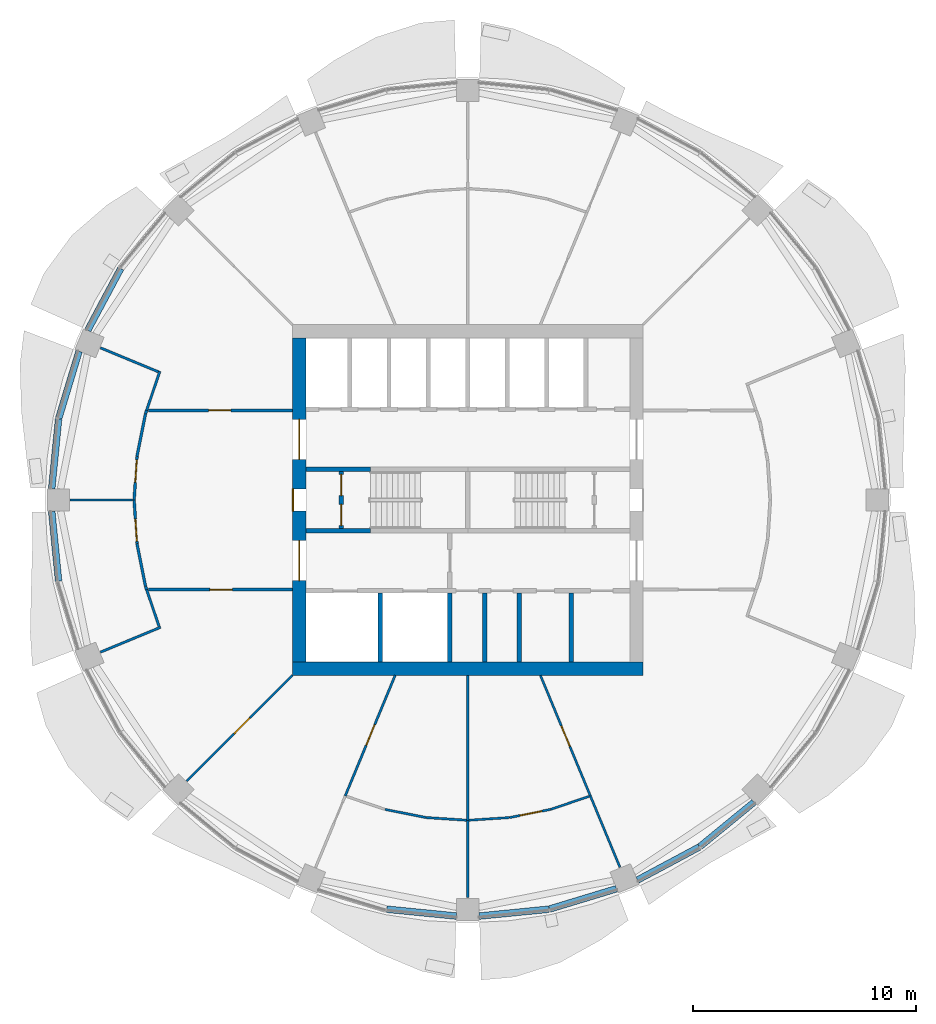
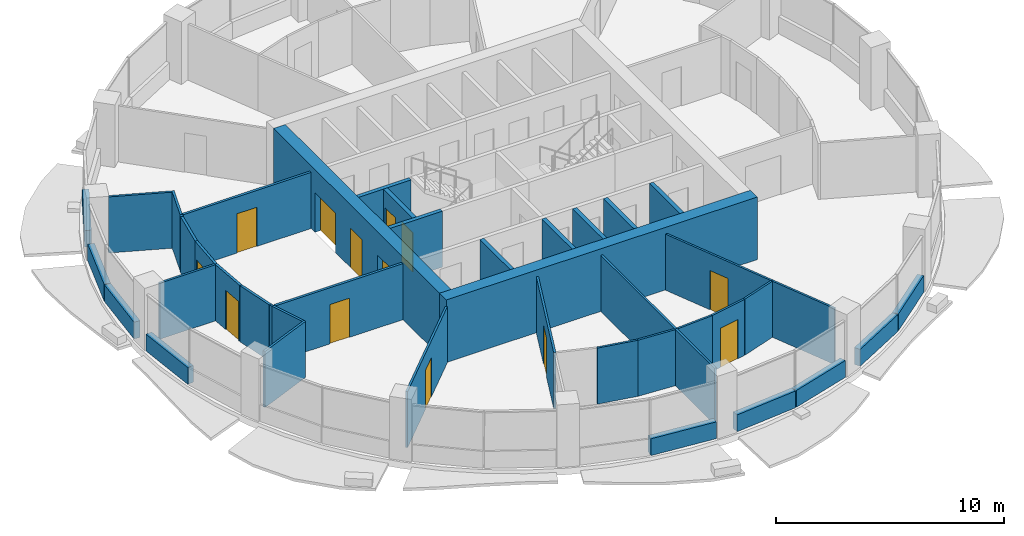
# One storey, part 8 of 15: 43 walls, 13 doors, 13 openings.
"""IFC4 building model written with IfcOpenShell, lengths in metres."""

from ifc_helpers import new_model, si_unit, direction, frame, frame_2d, origin, place, context, subcontext, project, spatial, rectangle, extrude, material, layer, layer_set, type_object, element, fill, save


model = new_model("IFC4")

# Units and contexts
model_context = context("Model", 3, precision=1e-05, world=origin(), true_north=direction((0.0, 1.0)))
body_context = subcontext(model_context, "Body", "Model", "MODEL_VIEW")
ifc_project = project(units=[si_unit("LENGTHUNIT", "METRE"), si_unit("AREAUNIT", "SQUARE_METRE"), si_unit("VOLUMEUNIT", "CUBIC_METRE"), si_unit("PLANEANGLEUNIT", "RADIAN"), si_unit("MASSUNIT", "GRAM", prefix="KILO")], contexts=[model_context])

# Site, building, storey
site_placement = place(None, origin())
site = spatial("IfcSite", under=ifc_project, at=site_placement, CompositionType="ELEMENT")
building_placement = place(site_placement, origin())
building = spatial("IfcBuilding", under=site, at=building_placement, Name="Polderwave Tower", CompositionType="ELEMENT")
storey_placement = place(building_placement, frame((0.0, 0.0, 131.0)))
storey = spatial("IfcBuildingStorey", under=building, at=storey_placement, Name="L34", CompositionType="ELEMENT", Elevation=131.0)

# Wall
ifc_material_1 = material(Name="Concrete C60/75", Category="concrete")
ifc_layer_1 = layer(ifc_material_1, 0.60009765625)
ifc_layer_set_1 = layer_set([ifc_layer_1], Name="CORE WALL 600 C60/75")
wall_type_1 = type_object("IfcWallType", Name="CORE WALL 600 C60/75", PredefinedType="SHEAR", material=ifc_layer_set_1)
wall_1_placement = place(storey_placement, frame((-7.8740234375, -7.573974609375, 0.0), z_axis=(0.0, 0.0, 1.0), x_axis=(1.0, 0.0, 0.0)))
element("IfcWall", 1, at=wall_1_placement, inside=storey, type_object=wall_type_1, Name="ST-CORE-L34-S", PredefinedType="SHEAR", context=body_context, shape_type="SweptSolid", body=[
    extrude(rectangle(XDim=15.748046875, YDim=0.60009765625, at=frame_2d((7.8740234375, 0.0))), origin(), (0.0, 0.0, 1.0), 3.35009765625),
])

# Wall, openings, doors
wall_2_placement = place(storey_placement, frame((-7.573974609375, -7.27392578125, 0.0), z_axis=(0.0, 0.0, 1.0), x_axis=(0.0, 1.0, 0.0)))
wall_2 = element("IfcWall", 2, at=wall_2_placement, inside=storey, type_object=wall_type_1, Name="ST-CORE-L34-W", PredefinedType="SHEAR", context=body_context, shape_type="SweptSolid", body=[
    extrude(rectangle(XDim=14.5478515625, YDim=0.60009765625, at=frame_2d((7.27392578125, 0.0))), origin(), (0.0, 0.0, 1.0), 3.35009765625),
])
opening_1_placement = place(wall_2_placement, frame((6.77392578125, 0.0, 0.0)))
opening_1 = element("IfcOpeningElement", 3, at=opening_1_placement, cuts=wall_2, Name="Opening L34-D20", PredefinedType="OPENING", context=body_context, shape_type="SweptSolid", body=[
    extrude(rectangle(XDim=1.0, YDim=2.10009765625, at=frame_2d((0.5, 1.050048828125))), frame((0.0, 0.31005859375, 0.0), z_axis=(0.0, -1.0, 0.0), x_axis=(1.0, 0.0, 0.0)), (0.0, 0.0, 1.0), 0.6201171875),
])
opening_2_placement = place(wall_2_placement, frame((3.6494140625, 0.0, 0.0)))
opening_2 = element("IfcOpeningElement", 4, at=opening_2_placement, cuts=wall_2, Name="Opening L34-D21", PredefinedType="OPENING", context=body_context, shape_type="SweptSolid", body=[
    extrude(rectangle(XDim=1.800048828125, YDim=2.10009765625, at=frame_2d((0.89990234375, 1.050048828125))), frame((0.0, 0.31005859375, 0.0), z_axis=(0.0, -1.0, 0.0), x_axis=(1.0, 0.0, 0.0)), (0.0, 0.0, 1.0), 0.6201171875),
])
opening_3_placement = place(wall_2_placement, frame((9.098388671875, 0.0, 0.0)))
opening_3 = element("IfcOpeningElement", 5, at=opening_3_placement, cuts=wall_2, Name="Opening L34-D22", PredefinedType="OPENING", context=body_context, shape_type="SweptSolid", body=[
    extrude(rectangle(XDim=1.800048828125, YDim=2.10009765625, at=frame_2d((0.89990234375, 1.050048828125))), frame((0.0, 0.31005859375, 0.0), z_axis=(0.0, -1.0, 0.0), x_axis=(1.0, 0.0, 0.0)), (0.0, 0.0, 1.0), 0.6201171875),
])
ifc_material_2 = material(Name="Steel fire door", Category="steel")
door_type_1 = type_object("IfcDoorType", Name="Lobby entry door pair 1800", OperationType="DOUBLE_DOOR_SINGLE_SWING", PredefinedType="DOOR", material=ifc_material_2)
door_1_placement = place(opening_2_placement, origin())
door_1 = element("IfcDoor", 6, at=door_1_placement, inside=storey, type_object=door_type_1, Name="Fire-fighting lobby entry door", OperationType="DOUBLE_DOOR_SINGLE_SWING", OverallHeight=2.10009765625, OverallWidth=1.800048828125, PredefinedType="DOOR", context=body_context, shape_type="SweptSolid", body=[
    extrude(rectangle(XDim=1.800048828125, YDim=2.10009765625, at=frame_2d((0.89990234375, 1.050048828125))), frame((0.0, 0.02490234375, 0.0), z_axis=(0.0, -1.0, 0.0), x_axis=(1.0, 0.0, 0.0)), (0.0, 0.0, 1.0), 0.050048828125),
])
fill(opening_2, door_1)
door_2_placement = place(opening_3_placement, origin())
door_2 = element("IfcDoor", 7, at=door_2_placement, inside=storey, type_object=door_type_1, Name="North lobby entry door", OperationType="DOUBLE_DOOR_SINGLE_SWING", OverallHeight=2.10009765625, OverallWidth=1.800048828125, PredefinedType="DOOR", context=body_context, shape_type="SweptSolid", body=[
    extrude(rectangle(XDim=1.800048828125, YDim=2.10009765625, at=frame_2d((0.89990234375, 1.050048828125))), frame((0.0, 0.02490234375, 0.0), z_axis=(0.0, -1.0, 0.0), x_axis=(1.0, 0.0, 0.0)), (0.0, 0.0, 1.0), 0.050048828125),
])
fill(opening_3, door_2)
door_type_2 = type_object("IfcDoorType", Name="Stair door 1000", OperationType="NOTDEFINED", PredefinedType="DOOR", material=ifc_material_2)
door_3_placement = place(opening_1_placement, origin())
door_3 = element("IfcDoor", 8, at=door_3_placement, inside=storey, type_object=door_type_2, Name="Stair A entry door", OperationType="SINGLE_SWING_RIGHT", OverallHeight=2.10009765625, OverallWidth=1.0, PredefinedType="DOOR", context=body_context, shape_type="SweptSolid", body=[
    extrude(rectangle(XDim=1.0, YDim=2.10009765625, at=frame_2d((0.5, 1.050048828125))), frame((0.0, 0.2998046875, 0.0), z_axis=(0.0, -1.0, 0.0), x_axis=(1.0, 0.0, 0.0)), (0.0, 0.0, 1.0), 0.050048828125),
])
fill(opening_1, door_3)

# Walls
ifc_material_3 = material(Name="Concrete C50/60 (board-marked)", Category="concrete")
ifc_layer_2 = layer(ifc_material_3, 0.300048828125)
ifc_layer_set_2 = layer_set([ifc_layer_2], Name="Concrete spandrel upstand C50/60")
wall_type_2 = type_object("IfcWallType", Name="Concrete spandrel upstand C50/60", PredefinedType="SOLIDWALL", material=ifc_layer_set_2)
wall_3_placement = place(storey_placement, frame((-15.580078125, 10.392822265625, 0.0), z_axis=(0.0, 0.0, 1.0), x_axis=(-0.471487773873, -0.881872597991, 0.0)))
element("IfcWall", 9, at=wall_3_placement, inside=storey, type_object=wall_type_2, Name="Spandrel L34 7b", PredefinedType="SOLIDWALL", context=body_context, shape_type="SweptSolid", body=[
    extrude(rectangle(XDim=3.140625, YDim=0.300048828125, at=frame_2d((1.5703125, 0.0))), origin(), (0.0, 0.0, 1.0), 0.89990234375),
])
for number, where, z_axis, x_axis, name in (
    (10, (-17.453369140625, 6.673583984375, 0.0), (0.0, 0.0, 1.0), (-0.290434573745, -0.956894852308, 0.0), "Spandrel L34 8a"),
    (11, (-18.37158203125, 3.63916015625, 0.0), (0.0, 0.0, 1.0), (-0.098033428421, -0.995183122301, 0.0), "Spandrel L34 8b"),
    (12, (-18.679443359375, -0.513916015625, 0.0), (0.0, 0.0, 1.0), (0.098033428421, -0.995183122301, 0.0), "Spandrel L34 9a"),
    (13, (-3.63916015625, -18.37158203125, 0.0), (0.0, 0.0, 1.0), (0.995183122301, -0.098033428421, 0.0), "Spandrel L34 12b"),
    (14, (0.513916015625, -18.679443359375, 0.0), (0.0, 0.0, 1.0), (0.995183122301, 0.098033428421, 0.0), "Spandrel L34 13a"),
    (15, (3.66845703125, -18.365478515625, 0.0), (0.0, 0.0, 1.0), (0.956894852308, 0.290434573745, 0.0), "Spandrel L34 13b"),
):
    element("IfcWall", number, at=place(storey_placement, frame(where, z_axis=z_axis, x_axis=x_axis)), inside=storey, type_object=wall_type_2, Name=name, PredefinedType="SOLIDWALL", context=body_context, shape_type="SweptSolid", body=[
        extrude(rectangle(XDim=3.140380859375, YDim=0.300048828125, at=frame_2d((1.5703125, 0.0))), origin(), (0.0, 0.0, 1.0), 0.89990234375),
    ])
for number, where, z_axis, x_axis, name in (
    (16, (7.623291015625, -17.060791015625, 0.0), (0.0, 0.0, 1.0), (0.881872597991, 0.471487773873, 0.0), "Spandrel L34 14a"),
    (17, (10.41748046875, -15.5634765625, 0.0), (0.0, 0.0, 1.0), (0.773111490074, 0.634270150579, 0.0), "Spandrel L34 14b"),
):
    element("IfcWall", number, at=place(storey_placement, frame(where, z_axis=z_axis, x_axis=x_axis)), inside=storey, type_object=wall_type_2, Name=name, PredefinedType="SOLIDWALL", context=body_context, shape_type="SweptSolid", body=[
        extrude(rectangle(XDim=3.140625, YDim=0.300048828125, at=frame_2d((1.5703125, 0.0))), origin(), (0.0, 0.0, 1.0), 0.89990234375),
    ])
ifc_material_4 = material(Name="Gypsum board partition")
ifc_layer_3 = layer(ifc_material_4, 0.199951171875)
ifc_layer_set_3 = layer_set([ifc_layer_3], Name="Core room partition 200")
wall_type_3 = type_object("IfcWallType", Name="Core room partition 200", PredefinedType="PARTITIONING", material=ifc_layer_set_3)
for number, where, z_axis, x_axis, name in (
    (18, (0.75830078125, -7.27392578125, 0.0), (0.0, 0.0, 1.0), (0.0, 1.0, 0.0), "L34 room partition S1"),
    (19, (2.316650390625, -7.27392578125, 0.0), (0.0, 0.0, 1.0), (0.0, 1.0, 0.0), "L34 room partition S2"),
    (20, (4.6513671875, -7.27392578125, 0.0), (0.0, 0.0, 1.0), (0.0, 1.0, 0.0), "L34 room partition S3"),
):
    element("IfcWall", number, at=place(storey_placement, frame(where, z_axis=z_axis, x_axis=x_axis)), inside=storey, type_object=wall_type_3, Name=name, PredefinedType="PARTITIONING", context=body_context, shape_type="SweptSolid", body=[
        extrude(rectangle(XDim=3.099853515625, YDim=0.199951171875, at=frame_2d((1.5498046875, 0.0))), origin(), (0.0, 0.0, 1.0), 3.0),
    ])

# Wall, openings, doors
wall_4_placement = place(storey_placement, frame((-5.674072265625, -1.27490234375, 0.0), z_axis=(0.0, 0.0, 1.0), x_axis=(0.0, 1.0, 0.0)))
wall_4 = element("IfcWall", 21, at=wall_4_placement, inside=storey, type_object=wall_type_3, Name="L34 smoke lobby wall A", PredefinedType="PARTITIONING", context=body_context, shape_type="SweptSolid", body=[
    extrude(rectangle(XDim=2.5498046875, YDim=0.199951171875, at=frame_2d((1.27490234375, 0.0))), origin(), (0.0, 0.0, 1.0), 3.0),
])
opening_4_placement = place(wall_4_placement, frame((0.125, 0.0, 0.0)))
opening_4 = element("IfcOpeningElement", 22, at=opening_4_placement, cuts=wall_4, Name="Opening L34-D10", PredefinedType="OPENING", context=body_context, shape_type="SweptSolid", body=[
    extrude(rectangle(XDim=0.949951171875, YDim=2.10009765625, at=frame_2d((0.47509765625, 1.050048828125))), frame((0.0, 0.10986328125, 0.0), z_axis=(0.0, -1.0, 0.0), x_axis=(1.0, 0.0, 0.0)), (0.0, 0.0, 1.0), 0.219970703125),
])
opening_5_placement = place(wall_4_placement, frame((1.47509765625, 0.0, 0.0)))
opening_5 = element("IfcOpeningElement", 23, at=opening_5_placement, cuts=wall_4, Name="Opening L34-D11", PredefinedType="OPENING", context=body_context, shape_type="SweptSolid", body=[
    extrude(rectangle(XDim=0.949951171875, YDim=2.10009765625, at=frame_2d((0.47509765625, 1.050048828125))), frame((0.0, 0.10986328125, 0.0), z_axis=(0.0, -1.0, 0.0), x_axis=(1.0, 0.0, 0.0)), (0.0, 0.0, 1.0), 0.219970703125),
])
door_type_3 = type_object("IfcDoorType", Name="Smoke lobby door 950", OperationType="NOTDEFINED", PredefinedType="DOOR", material=ifc_material_2)
door_4_placement = place(opening_4_placement, origin())
door_4 = element("IfcDoor", 24, at=door_4_placement, inside=storey, type_object=door_type_3, Name="Stair A smoke lobby inner door", OperationType="SINGLE_SWING_LEFT", OverallHeight=2.10009765625, OverallWidth=0.949951171875, PredefinedType="DOOR", context=body_context, shape_type="SweptSolid", body=[
    extrude(rectangle(XDim=0.949951171875, YDim=2.10009765625, at=frame_2d((0.47509765625, 1.050048828125))), frame((0.0, 0.02490234375, 0.0), z_axis=(0.0, -1.0, 0.0), x_axis=(1.0, 0.0, 0.0)), (0.0, 0.0, 1.0), 0.050048828125),
])
fill(opening_4, door_4)
door_5_placement = place(opening_5_placement, origin())
door_5 = element("IfcDoor", 25, at=door_5_placement, inside=storey, type_object=door_type_3, Name="Stair A smoke lobby inner door", OperationType="SINGLE_SWING_RIGHT", OverallHeight=2.10009765625, OverallWidth=0.949951171875, PredefinedType="DOOR", context=body_context, shape_type="SweptSolid", body=[
    extrude(rectangle(XDim=0.949951171875, YDim=2.10009765625, at=frame_2d((0.47509765625, 1.050048828125))), frame((0.0, 0.02490234375, 0.0), z_axis=(0.0, -1.0, 0.0), x_axis=(1.0, 0.0, 0.0)), (0.0, 0.0, 1.0), 0.050048828125),
])
fill(opening_5, door_5)

# Walls
ifc_material_5 = material(Name="Concrete C50/60", Category="concrete")
ifc_layer_4 = layer(ifc_material_5, 0.199951171875)
ifc_layer_set_4 = layer_set([ifc_layer_4], Name="Core web wall 200")
wall_type_4 = type_object("IfcWallType", Name="Core web wall 200", PredefinedType="SHEAR", material=ifc_layer_set_4)
for number, where, z_axis, x_axis, name in (
    (26, (-7.27392578125, -1.375, 0.0), (0.0, 0.0, 1.0), (1.0, 0.0, 0.0), "L34 south stair wall 1"),
    (27, (-7.27392578125, 1.375, 0.0), (0.0, 0.0, 1.0), (1.0, 0.0, 0.0), "L34 north stair wall 1"),
):
    element("IfcWall", number, at=place(storey_placement, frame(where, z_axis=z_axis, x_axis=x_axis)), inside=storey, type_object=wall_type_4, Name=name, PredefinedType="SHEAR", context=body_context, shape_type="SweptSolid", body=[
        extrude(rectangle(XDim=2.89990234375, YDim=0.199951171875, at=frame_2d((1.449951171875, 0.0))), origin(), (0.0, 0.0, 1.0), 3.0),
    ])

# Wall, opening, door
ifc_material_6 = material(Name="Fire-resisting board on steel studs", Category="steel")
ifc_layer_5 = layer(ifc_material_6, 0.125)
ifc_layer_set_5 = layer_set([ifc_layer_5], Name="Corridor wall 125 mm EI 60")
wall_type_5 = type_object("IfcWallType", Name="Corridor wall 125 mm EI 60", PredefinedType="PARTITIONING", material=ifc_layer_set_5)
wall_5_placement = place(storey_placement, frame((-14.332275390625, 4.0244140625, 0.0), z_axis=(0.0, 0.0, 1.0), x_axis=(1.0, 0.0, 0.0)))
wall_5 = element("IfcWall", 28, at=wall_5_placement, inside=storey, type_object=wall_type_5, Name="IN-L34-W009", PredefinedType="PARTITIONING", context=body_context, shape_type="SweptSolid", body=[
    extrude(rectangle(XDim=6.458251953125, YDim=0.125, at=frame_2d((3.22900390625, 0.0))), origin(), (0.0, 0.0, 1.0), 3.0),
])
opening_6_placement = place(wall_5_placement, frame((2.699951171875, 0.0, 0.0)))
opening_6 = element("IfcOpeningElement", 29, at=opening_6_placement, cuts=wall_5, Name="Opening L34-D53", PredefinedType="OPENING", context=body_context, shape_type="SweptSolid", body=[
    extrude(rectangle(XDim=1.0, YDim=2.10009765625, at=frame_2d((0.5, 1.050048828125))), frame((0.0, 0.072509765625, 0.0), z_axis=(0.0, -1.0, 0.0), x_axis=(1.0, 0.0, 0.0)), (0.0, 0.0, 1.0), 0.14501953125),
])
ifc_material_7 = material(Name="Timber fire door leaf", Category="wood")
door_type_4 = type_object("IfcDoorType", Name="Fire door FD30S 1000 x 2100", OperationType="NOTDEFINED", PredefinedType="DOOR", material=ifc_material_7)
door_6_placement = place(opening_6_placement, origin())
door_6 = element("IfcDoor", 30, at=door_6_placement, inside=storey, type_object=door_type_4, Name="Door L34-D53", OperationType="SINGLE_SWING_LEFT", OverallHeight=2.10009765625, OverallWidth=1.0, PredefinedType="DOOR", context=body_context, shape_type="SweptSolid", body=[
    extrude(rectangle(XDim=1.0, YDim=2.10009765625, at=frame_2d((0.5, 1.050048828125))), frame((0.0, 0.02490234375, 0.0), z_axis=(0.0, -1.0, 0.0), x_axis=(1.0, 0.0, 0.0)), (0.0, 0.0, 1.0), 0.050048828125),
])
fill(opening_6, door_6)

wall_6_placement = place(storey_placement, frame((-14.97998046875, 0.0, 0.0), z_axis=(0.0, 0.0, 1.0), x_axis=(0.065425090266, 0.997857483594, 0.0)))
wall_6 = element("IfcWall", 31, at=wall_6_placement, inside=storey, type_object=wall_type_5, Name="IN-L34-W010", PredefinedType="PARTITIONING", context=body_context, shape_type="SweptSolid", body=[
    extrude(rectangle(XDim=1.955322265625, YDim=0.125, at=frame_2d((0.9775390625, 0.0))), origin(), (0.0, 0.0, 1.0), 3.0),
])
opening_7_placement = place(wall_6_placement, frame((0.800048828125, 0.0, 0.0)))
opening_7 = element("IfcOpeningElement", 32, at=opening_7_placement, cuts=wall_6, Name="Opening L34-D54", PredefinedType="OPENING", context=body_context, shape_type="SweptSolid", body=[
    extrude(rectangle(XDim=1.0, YDim=2.10009765625, at=frame_2d((0.5, 1.050048828125))), frame((0.0, 0.072509765625, 0.0), z_axis=(0.0, -1.0, 0.0), x_axis=(1.0, 0.0, 0.0)), (0.0, 0.0, 1.0), 0.14501953125),
])
door_7_placement = place(opening_7_placement, origin())
door_7 = element("IfcDoor", 33, at=door_7_placement, inside=storey, type_object=door_type_4, Name="Door L34-D54", OperationType="SINGLE_SWING_RIGHT", OverallHeight=2.10009765625, OverallWidth=1.0, PredefinedType="DOOR", context=body_context, shape_type="SweptSolid", body=[
    extrude(rectangle(XDim=1.0, YDim=2.10009765625, at=frame_2d((0.5, 1.050048828125))), frame((0.0, 0.02490234375, 0.0), z_axis=(0.0, -1.0, 0.0), x_axis=(1.0, 0.0, 0.0)), (0.0, 0.0, 1.0), 0.050048828125),
])
fill(opening_7, door_7)

# Walls
wall_7_placement = place(storey_placement, frame((-14.85107421875, 1.959228515625, 0.0), z_axis=(0.0, 0.0, 1.0), x_axis=(0.195057338878, 0.980791840581, 0.0)))
element("IfcWall", 34, at=wall_7_placement, inside=storey, type_object=wall_type_5, Name="IN-L34-W011", PredefinedType="PARTITIONING", context=body_context, shape_type="SweptSolid", body=[
    extrude(rectangle(XDim=1.951416015625, YDim=0.125, at=frame_2d((0.9755859375, 0.0))), origin(), (0.0, 0.0, 1.0), 3.0),
])
wall_8_placement = place(storey_placement, frame((-14.46826171875, 3.881103515625, 0.0), z_axis=(0.0, 0.0, 1.0), x_axis=(0.322509757857, 0.946566139309, 0.0)))
element("IfcWall", 35, at=wall_8_placement, inside=storey, type_object=wall_type_5, Name="IN-L34-W012", PredefinedType="PARTITIONING", context=body_context, shape_type="SweptSolid", body=[
    extrude(rectangle(XDim=0.1513671875, YDim=0.125, at=frame_2d((0.07568359375, 0.0))), origin(), (0.0, 0.0, 1.0), 3.0),
])

# Wall, opening, door
wall_9_placement = place(storey_placement, frame((-7.8740234375, -4.0244140625, 0.0), z_axis=(0.0, 0.0, 1.0), x_axis=(-1.0, 0.0, 0.0)))
wall_9 = element("IfcWall", 36, at=wall_9_placement, inside=storey, type_object=wall_type_5, Name="IN-L34-W013", PredefinedType="PARTITIONING", context=body_context, shape_type="SweptSolid", body=[
    extrude(rectangle(XDim=6.458251953125, YDim=0.125, at=frame_2d((3.22900390625, 0.0))), origin(), (0.0, 0.0, 1.0), 3.0),
])
opening_8_placement = place(wall_9_placement, frame((2.699951171875, 0.0, 0.0)))
opening_8 = element("IfcOpeningElement", 37, at=opening_8_placement, cuts=wall_9, Name="Opening L34-D55", PredefinedType="OPENING", context=body_context, shape_type="SweptSolid", body=[
    extrude(rectangle(XDim=1.0, YDim=2.10009765625, at=frame_2d((0.5, 1.050048828125))), frame((0.0, 0.072509765625, 0.0), z_axis=(0.0, -1.0, 0.0), x_axis=(1.0, 0.0, 0.0)), (0.0, 0.0, 1.0), 0.14501953125),
])
door_8_placement = place(opening_8_placement, origin())
door_8 = element("IfcDoor", 38, at=door_8_placement, inside=storey, type_object=door_type_4, Name="Door L34-D55", OperationType="SINGLE_SWING_LEFT", OverallHeight=2.10009765625, OverallWidth=1.0, PredefinedType="DOOR", context=body_context, shape_type="SweptSolid", body=[
    extrude(rectangle(XDim=1.0, YDim=2.10009765625, at=frame_2d((0.5, 1.050048828125))), frame((0.0, 0.02490234375, 0.0), z_axis=(0.0, -1.0, 0.0), x_axis=(1.0, 0.0, 0.0)), (0.0, 0.0, 1.0), 0.050048828125),
])
fill(opening_8, door_8)

wall_10_placement = place(storey_placement, frame((-14.85205078125, -1.951171875, 0.0), z_axis=(0.0, 0.0, 1.0), x_axis=(-0.065425090266, 0.997857483594, 0.0)))
wall_10 = element("IfcWall", 39, at=wall_10_placement, inside=storey, type_object=wall_type_5, Name="IN-L34-W014", PredefinedType="PARTITIONING", context=body_context, shape_type="SweptSolid", body=[
    extrude(rectangle(XDim=1.955322265625, YDim=0.125, at=frame_2d((0.9775390625, 0.0))), origin(), (0.0, 0.0, 1.0), 3.0),
])
opening_9_placement = place(wall_10_placement, frame((0.10009765625, 0.0, 0.0)))
opening_9 = element("IfcOpeningElement", 40, at=opening_9_placement, cuts=wall_10, Name="Opening L34-D56", PredefinedType="OPENING", context=body_context, shape_type="SweptSolid", body=[
    extrude(rectangle(XDim=1.0, YDim=2.10009765625, at=frame_2d((0.5, 1.050048828125))), frame((0.0, 0.072509765625, 0.0), z_axis=(0.0, -1.0, 0.0), x_axis=(1.0, 0.0, 0.0)), (0.0, 0.0, 1.0), 0.14501953125),
])
door_9_placement = place(opening_9_placement, origin())
door_9 = element("IfcDoor", 41, at=door_9_placement, inside=storey, type_object=door_type_4, Name="Door L34-D56", OperationType="SINGLE_SWING_LEFT", OverallHeight=2.10009765625, OverallWidth=1.0, PredefinedType="DOOR", context=body_context, shape_type="SweptSolid", body=[
    extrude(rectangle(XDim=1.0, YDim=2.10009765625, at=frame_2d((0.5, 1.050048828125))), frame((0.0, 0.02490234375, 0.0), z_axis=(0.0, -1.0, 0.0), x_axis=(1.0, 0.0, 0.0)), (0.0, 0.0, 1.0), 0.050048828125),
])
fill(opening_9, door_9)

# Walls
wall_11_placement = place(storey_placement, frame((-14.470458984375, -3.873046875, 0.0), z_axis=(0.0, 0.0, 1.0), x_axis=(-0.195057338878, 0.980791840581, 0.0)))
element("IfcWall", 42, at=wall_11_placement, inside=storey, type_object=wall_type_5, Name="IN-L34-W015", PredefinedType="PARTITIONING", context=body_context, shape_type="SweptSolid", body=[
    extrude(rectangle(XDim=1.951416015625, YDim=0.125, at=frame_2d((0.9755859375, 0.0))), origin(), (0.0, 0.0, 1.0), 3.0),
])
wall_12_placement = place(storey_placement, frame((-14.41943359375, -4.0244140625, 0.0), z_axis=(0.0, 0.0, 1.0), x_axis=(-0.322509757857, 0.946566139309, 0.0)))
element("IfcWall", 43, at=wall_12_placement, inside=storey, type_object=wall_type_5, Name="IN-L34-W016", PredefinedType="PARTITIONING", context=body_context, shape_type="SweptSolid", body=[
    extrude(rectangle(XDim=0.1513671875, YDim=0.125, at=frame_2d((0.07568359375, 0.0))), origin(), (0.0, 0.0, 1.0), 3.0),
])

# Wall, opening, door
ifc_material_8 = material(Name="Plasterboard on steel studs", Category="steel")
ifc_layer_6 = layer(ifc_material_8, 0.10009765625)
ifc_layer_set_6 = layer_set([ifc_layer_6], Name="Partition 100 mm plasterboard on steel studs")
wall_type_6 = type_object("IfcWallType", Name="Partition 100 mm plasterboard on steel studs", PredefinedType="PARTITIONING", material=ifc_layer_set_6)
wall_13_placement = place(storey_placement, frame((-7.8740234375, -7.8740234375, 0.0), z_axis=(0.0, 0.0, 1.0), x_axis=(-0.707106781187, -0.707106781187, 0.0)))
wall_13 = element("IfcWall", 44, at=wall_13_placement, inside=storey, type_object=wall_type_6, Name="IN-L34-W040", PredefinedType="PARTITIONING", context=body_context, shape_type="SweptSolid", body=[
    extrude(rectangle(XDim=6.71435546875, YDim=0.10009765625, at=frame_2d((3.357177734375, 0.0))), origin(), (0.0, 0.0, 1.0), 3.0),
])
opening_10_placement = place(wall_13_placement, frame((2.699951171875, 0.0, 0.0)))
opening_10 = element("IfcOpeningElement", 45, at=opening_10_placement, cuts=wall_13, Name="Opening L34-D63", PredefinedType="OPENING", context=body_context, shape_type="SweptSolid", body=[
    extrude(rectangle(XDim=1.0, YDim=2.10009765625, at=frame_2d((0.5, 1.050048828125))), frame((0.0, 0.06005859375, 0.0), z_axis=(0.0, -1.0, 0.0), x_axis=(1.0, 0.0, 0.0)), (0.0, 0.0, 1.0), 0.1201171875),
])
ifc_material_9 = material(Name="Timber veneer door leaf", Category="wood")
door_type_5 = type_object("IfcDoorType", Name="Single door 1000 x 2100", OperationType="NOTDEFINED", PredefinedType="DOOR", material=ifc_material_9)
door_10_placement = place(opening_10_placement, origin())
door_10 = element("IfcDoor", 46, at=door_10_placement, inside=storey, type_object=door_type_5, Name="Door L34-D63", OperationType="SINGLE_SWING_LEFT", OverallHeight=2.10009765625, OverallWidth=1.0, PredefinedType="DOOR", context=body_context, shape_type="SweptSolid", body=[
    extrude(rectangle(XDim=1.0, YDim=2.10009765625, at=frame_2d((0.5, 1.050048828125))), frame((0.0, 0.02490234375, 0.0), z_axis=(0.0, -1.0, 0.0), x_axis=(1.0, 0.0, 0.0)), (0.0, 0.0, 1.0), 0.050048828125),
])
fill(opening_10, door_10)

# Wall
wall_14_placement = place(storey_placement, frame((1.873779296875, -14.257080078125, 0.0), z_axis=(0.0, 0.0, 1.0), x_axis=(-0.997853500394, -0.065485813366, 0.0)))
element("IfcWall", 47, at=wall_14_placement, inside=storey, type_object=wall_type_6, Name="IN-L34-W048", PredefinedType="PARTITIONING", context=body_context, shape_type="SweptSolid", body=[
    extrude(rectangle(XDim=1.8193359375, YDim=0.10009765625, at=frame_2d((0.90966796875, 0.0))), origin(), (0.0, 0.0, 1.0), 3.0),
])

# Wall, opening, door
wall_15_placement = place(storey_placement, frame((3.718505859375, -13.890625, 0.0), z_axis=(0.0, 0.0, 1.0), x_axis=(-0.980780548044, -0.195114111683, 0.0)))
wall_15 = element("IfcWall", 48, at=wall_15_placement, inside=storey, type_object=wall_type_6, Name="IN-L34-W049", PredefinedType="PARTITIONING", context=body_context, shape_type="SweptSolid", body=[
    extrude(rectangle(XDim=1.87451171875, YDim=0.10009765625, at=frame_2d((0.937255859375, 0.0))), origin(), (0.0, 0.0, 1.0), 3.0),
])
opening_11_placement = place(wall_15_placement, frame((0.39990234375, 0.0, 0.0)))
opening_11 = element("IfcOpeningElement", 49, at=opening_11_placement, cuts=wall_15, Name="Opening L34-D66", PredefinedType="OPENING", context=body_context, shape_type="SweptSolid", body=[
    extrude(rectangle(XDim=1.0, YDim=2.10009765625, at=frame_2d((0.5, 1.050048828125))), frame((0.0, 0.06005859375, 0.0), z_axis=(0.0, -1.0, 0.0), x_axis=(1.0, 0.0, 0.0)), (0.0, 0.0, 1.0), 0.1201171875),
])
door_11_placement = place(opening_11_placement, origin())
door_11 = element("IfcDoor", 50, at=door_11_placement, inside=storey, type_object=door_type_5, Name="Door L34-D66", OperationType="SINGLE_SWING_LEFT", OverallHeight=2.10009765625, OverallWidth=1.0, PredefinedType="DOOR", context=body_context, shape_type="SweptSolid", body=[
    extrude(rectangle(XDim=1.0, YDim=2.10009765625, at=frame_2d((0.5, 1.050048828125))), frame((0.0, 0.02490234375, 0.0), z_axis=(0.0, -1.0, 0.0), x_axis=(1.0, 0.0, 0.0)), (0.0, 0.0, 1.0), 0.050048828125),
])
fill(opening_11, door_11)

# Wall
wall_16_placement = place(storey_placement, frame((5.452392578125, -13.302490234375, 0.0), z_axis=(0.0, 0.0, 1.0), x_axis=(-0.946929247039, -0.321442064922, 0.0)))
element("IfcWall", 51, at=wall_16_placement, inside=storey, type_object=wall_type_6, Name="IN-L34-W050", PredefinedType="PARTITIONING", context=body_context, shape_type="SweptSolid", body=[
    extrude(rectangle(XDim=1.824462890625, YDim=0.10009765625, at=frame_2d((0.912109375, 0.0))), origin(), (0.0, 0.0, 1.0), 3.0),
])

# Wall, opening, door
wall_17_placement = place(storey_placement, frame((5.5029296875, -13.285400390625, 0.0), z_axis=(0.0, 0.0, 1.0), x_axis=(-0.382681880818, 0.923880175181, 0.0)))
wall_17 = element("IfcWall", 52, at=wall_17_placement, inside=storey, type_object=wall_type_6, Name="IN-L34-W051", PredefinedType="PARTITIONING", context=body_context, shape_type="SweptSolid", body=[
    extrude(rectangle(XDim=5.857177734375, YDim=0.10009765625, at=frame_2d((2.9287109375, 0.0))), origin(), (0.0, 0.0, 1.0), 3.0),
])
opening_12_placement = place(wall_17_placement, frame((2.39990234375, 0.0, 0.0)))
opening_12 = element("IfcOpeningElement", 53, at=opening_12_placement, cuts=wall_17, Name="Opening L34-D67", PredefinedType="OPENING", context=body_context, shape_type="SweptSolid", body=[
    extrude(rectangle(XDim=1.0, YDim=2.10009765625, at=frame_2d((0.5, 1.050048828125))), frame((0.0, 0.06005859375, 0.0), z_axis=(0.0, -1.0, 0.0), x_axis=(1.0, 0.0, 0.0)), (0.0, 0.0, 1.0), 0.1201171875),
])
door_12_placement = place(opening_12_placement, origin())
door_12 = element("IfcDoor", 54, at=door_12_placement, inside=storey, type_object=door_type_5, Name="Door L34-D67", OperationType="SINGLE_SWING_LEFT", OverallHeight=2.10009765625, OverallWidth=1.0, PredefinedType="DOOR", context=body_context, shape_type="SweptSolid", body=[
    extrude(rectangle(XDim=1.0, YDim=2.10009765625, at=frame_2d((0.5, 1.050048828125))), frame((0.0, 0.02490234375, 0.0), z_axis=(0.0, -1.0, 0.0), x_axis=(1.0, 0.0, 0.0)), (0.0, 0.0, 1.0), 0.050048828125),
])
fill(opening_12, door_12)

# Wall
wall_18_placement = place(storey_placement, frame((5.5029296875, -13.285400390625, 0.0), z_axis=(0.0, 0.0, 1.0), x_axis=(0.382681133009, -0.923880484932, 0.0)))
element("IfcWall", 55, at=wall_18_placement, inside=storey, type_object=wall_type_6, Name="IN-L34-W052", PredefinedType="PARTITIONING", context=body_context, shape_type="SweptSolid", body=[
    extrude(rectangle(XDim=3.469970703125, YDim=0.10009765625, at=frame_2d((1.73486328125, 0.0))), origin(), (0.0, 0.0, 1.0), 3.0),
])

# Wall, opening, door
ifc_material_10 = material(Name="Moisture-resistant board on steel studs, tiled", Category="steel")
ifc_layer_7 = layer(ifc_material_10, 0.10498046875)
ifc_layer_set_7 = layer_set([ifc_layer_7], Name="Partition 105 mm wet room board and tile")
wall_type_7 = type_object("IfcWallType", Name="Partition 105 mm wet room board and tile", PredefinedType="PARTITIONING", material=ifc_layer_set_7)
wall_19_placement = place(storey_placement, frame((-3.261474609375, -7.8740234375, 0.0), z_axis=(0.0, 0.0, 1.0), x_axis=(-0.382681880818, -0.923880175181, 0.0)))
wall_19 = element("IfcWall", 56, at=wall_19_placement, inside=storey, type_object=wall_type_7, Name="IN-L34-W041", PredefinedType="PARTITIONING", context=body_context, shape_type="SweptSolid", body=[
    extrude(rectangle(XDim=5.857177734375, YDim=0.10498046875, at=frame_2d((2.9287109375, 0.0))), origin(), (0.0, 0.0, 1.0), 3.0),
])
opening_13_placement = place(wall_19_placement, frame((2.39990234375, 0.0, 0.0)))
opening_13 = element("IfcOpeningElement", 57, at=opening_13_placement, cuts=wall_19, Name="Opening L34-D64", PredefinedType="OPENING", context=body_context, shape_type="SweptSolid", body=[
    extrude(rectangle(XDim=1.0, YDim=2.10009765625, at=frame_2d((0.5, 1.050048828125))), frame((0.0, 0.0625, 0.0), z_axis=(0.0, -1.0, 0.0), x_axis=(1.0, 0.0, 0.0)), (0.0, 0.0, 1.0), 0.125),
])
door_13_placement = place(opening_13_placement, origin())
door_13 = element("IfcDoor", 58, at=door_13_placement, inside=storey, type_object=door_type_5, Name="Door L34-D64", OperationType="SINGLE_SWING_LEFT", OverallHeight=2.10009765625, OverallWidth=1.0, PredefinedType="DOOR", context=body_context, shape_type="SweptSolid", body=[
    extrude(rectangle(XDim=1.0, YDim=2.10009765625, at=frame_2d((0.5, 1.050048828125))), frame((0.0, 0.02490234375, 0.0), z_axis=(0.0, -1.0, 0.0), x_axis=(1.0, 0.0, 0.0)), (0.0, 0.0, 1.0), 0.050048828125),
])
fill(opening_13, door_13)

# Walls
wall_20_placement = place(storey_placement, frame((-1.88037109375, -14.25634765625, 0.0), z_axis=(0.0, 0.0, 1.0), x_axis=(-0.980775588549, 0.195139039932, 0.0)))
element("IfcWall", 59, at=wall_20_placement, inside=storey, type_object=wall_type_7, Name="IN-L34-W044", PredefinedType="PARTITIONING", context=body_context, shape_type="SweptSolid", body=[
    extrude(rectangle(XDim=1.874267578125, YDim=0.10498046875, at=frame_2d((0.93701171875, 0.0))), origin(), (0.0, 0.0, 1.0), 3.0),
])
wall_21_placement = place(storey_placement, frame((-0.058349609375, -14.376220703125, 0.0), z_axis=(0.0, 0.0, 1.0), x_axis=(-0.997852924809, 0.065494583363, 0.0)))
element("IfcWall", 60, at=wall_21_placement, inside=storey, type_object=wall_type_7, Name="IN-L34-W045", PredefinedType="PARTITIONING", context=body_context, shape_type="SweptSolid", body=[
    extrude(rectangle(XDim=1.819091796875, YDim=0.10498046875, at=frame_2d((0.90966796875, 0.0))), origin(), (0.0, 0.0, 1.0), 3.0),
])
wall_22_placement = place(storey_placement, frame((0.0, -7.8740234375, 0.0), z_axis=(0.0, 0.0, 1.0), x_axis=(0.0, -1.0, 0.0)))
element("IfcWall", 61, at=wall_22_placement, inside=storey, type_object=wall_type_7, Name="IN-L34-W046", PredefinedType="PARTITIONING", context=body_context, shape_type="SweptSolid", body=[
    extrude(rectangle(XDim=6.505859375, YDim=0.10498046875, at=frame_2d((3.2529296875, 0.0))), origin(), (0.0, 0.0, 1.0), 3.0),
])
ifc_material_11 = material(Name="Acoustic double plasterboard on steel studs", Category="steel")
ifc_layer_8 = layer(ifc_material_11, 0.110107421875)
ifc_layer_set_8 = layer_set([ifc_layer_8], Name="Partition 110 mm acoustic double board")
wall_type_8 = type_object("IfcWallType", Name="Partition 110 mm acoustic double board", PredefinedType="PARTITIONING", material=ifc_layer_set_8)
wall_23_placement = place(storey_placement, frame((-14.41943359375, 4.0244140625, 0.0), z_axis=(0.0, 0.0, 1.0), x_axis=(0.321384678366, 0.946948725387, 0.0)))
element("IfcWall", 62, at=wall_23_placement, inside=storey, type_object=wall_type_8, Name="IN-L34-W035", PredefinedType="PARTITIONING", context=body_context, shape_type="SweptSolid", body=[
    extrude(rectangle(XDim=1.85888671875, YDim=0.110107421875, at=frame_2d((0.929443359375, 0.0))), origin(), (0.0, 0.0, 1.0), 3.0),
])
wall_24_placement = place(storey_placement, frame((-13.89404296875, 5.755126953125, 0.0), z_axis=(0.0, 0.0, 1.0), x_axis=(-0.923891933257, 0.382653492943, 0.0)))
element("IfcWall", 63, at=wall_24_placement, inside=storey, type_object=wall_type_8, Name="IN-L34-W036", PredefinedType="PARTITIONING", context=body_context, shape_type="SweptSolid", body=[
    extrude(rectangle(XDim=2.81103515625, YDim=0.110107421875, at=frame_2d((1.405517578125, 0.0))), origin(), (0.0, 0.0, 1.0), 3.0),
])
wall_25_placement = place(storey_placement, frame((-15.046142578125, 0.0, 0.0), z_axis=(0.0, 0.0, 1.0), x_axis=(-1.0, 0.0, 0.0)))
element("IfcWall", 64, at=wall_25_placement, inside=storey, type_object=wall_type_8, Name="IN-L34-W037", PredefinedType="PARTITIONING", context=body_context, shape_type="SweptSolid", body=[
    extrude(rectangle(XDim=2.803955078125, YDim=0.110107421875, at=frame_2d((1.40185546875, 0.0))), origin(), (0.0, 0.0, 1.0), 3.0),
])
wall_26_placement = place(storey_placement, frame((-16.4912109375, -6.830810546875, 0.0), z_axis=(0.0, 0.0, 1.0), x_axis=(0.923906972489, 0.382617179681, 0.0)))
element("IfcWall", 65, at=wall_26_placement, inside=storey, type_object=wall_type_8, Name="IN-L34-W038", PredefinedType="PARTITIONING", context=body_context, shape_type="SweptSolid", body=[
    extrude(rectangle(XDim=2.925048828125, YDim=0.110107421875, at=frame_2d((1.46240234375, 0.0))), origin(), (0.0, 0.0, 1.0), 3.0),
])
wall_27_placement = place(storey_placement, frame((-13.858642578125, -5.677001953125, 0.0), z_axis=(0.0, 0.0, 1.0), x_axis=(-0.321343390067, 0.946962737208, 0.0)))
element("IfcWall", 66, at=wall_27_placement, inside=storey, type_object=wall_type_8, Name="IN-L34-W039", PredefinedType="PARTITIONING", context=body_context, shape_type="SweptSolid", body=[
    extrude(rectangle(XDim=1.7451171875, YDim=0.110107421875, at=frame_2d((0.87255859375, 0.0))), origin(), (0.0, 0.0, 1.0), 3.0),
])
wall_28_placement = place(storey_placement, frame((0.0, -14.3798828125, 0.0), z_axis=(0.0, 0.0, 1.0), x_axis=(0.0, -1.0, 0.0)))
element("IfcWall", 67, at=wall_28_placement, inside=storey, type_object=wall_type_8, Name="IN-L34-W047", PredefinedType="PARTITIONING", context=body_context, shape_type="SweptSolid", body=[
    extrude(rectangle(XDim=3.47021484375, YDim=0.110107421875, at=frame_2d((1.735107421875, 0.0))), origin(), (0.0, 0.0, 1.0), 3.0),
])
ifc_material_12 = material(Name="Gypsum shaft wall system")
ifc_layer_9 = layer(ifc_material_12, 0.199951171875)
ifc_layer_set_9 = layer_set([ifc_layer_9], Name="Shaft wall 200")
wall_type_9 = type_object("IfcWallType", Name="Shaft wall 200", PredefinedType="PARTITIONING", material=ifc_layer_set_9)
for number, where, z_axis, x_axis, name in (
    (68, (-3.93701171875, -7.27392578125, 0.0), (0.0, 0.0, 1.0), (0.0, 1.0, 0.0), "L34 fire-fighting shaft wall 1"),
    (69, (-0.800048828125, -7.27392578125, 0.0), (0.0, 0.0, 1.0), (0.0, 1.0, 0.0), "L34 fire-fighting shaft wall 2"),
):
    element("IfcWall", number, at=place(storey_placement, frame(where, z_axis=z_axis, x_axis=x_axis)), inside=storey, type_object=wall_type_9, Name=name, PredefinedType="PARTITIONING", context=body_context, shape_type="SweptSolid", body=[
        extrude(rectangle(XDim=3.099853515625, YDim=0.199951171875, at=frame_2d((1.5498046875, 0.0))), origin(), (0.0, 0.0, 1.0), 3.0),
    ])

save(model, "model.ifc")
